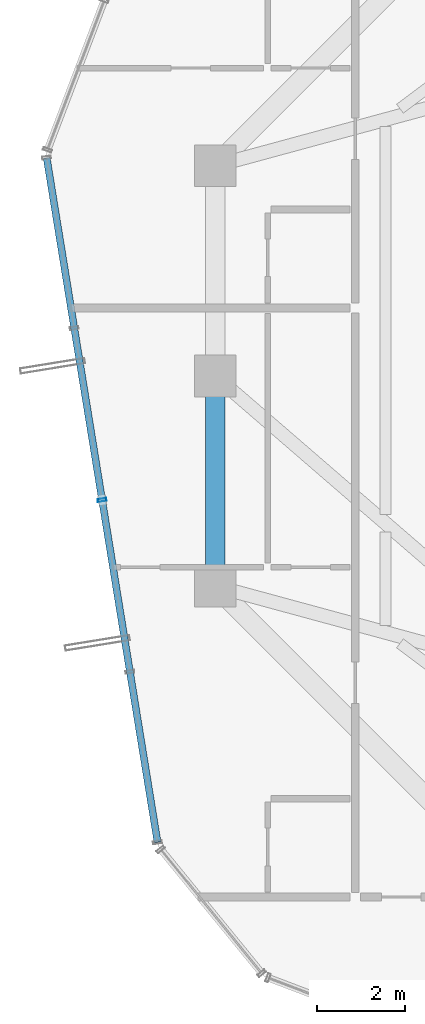
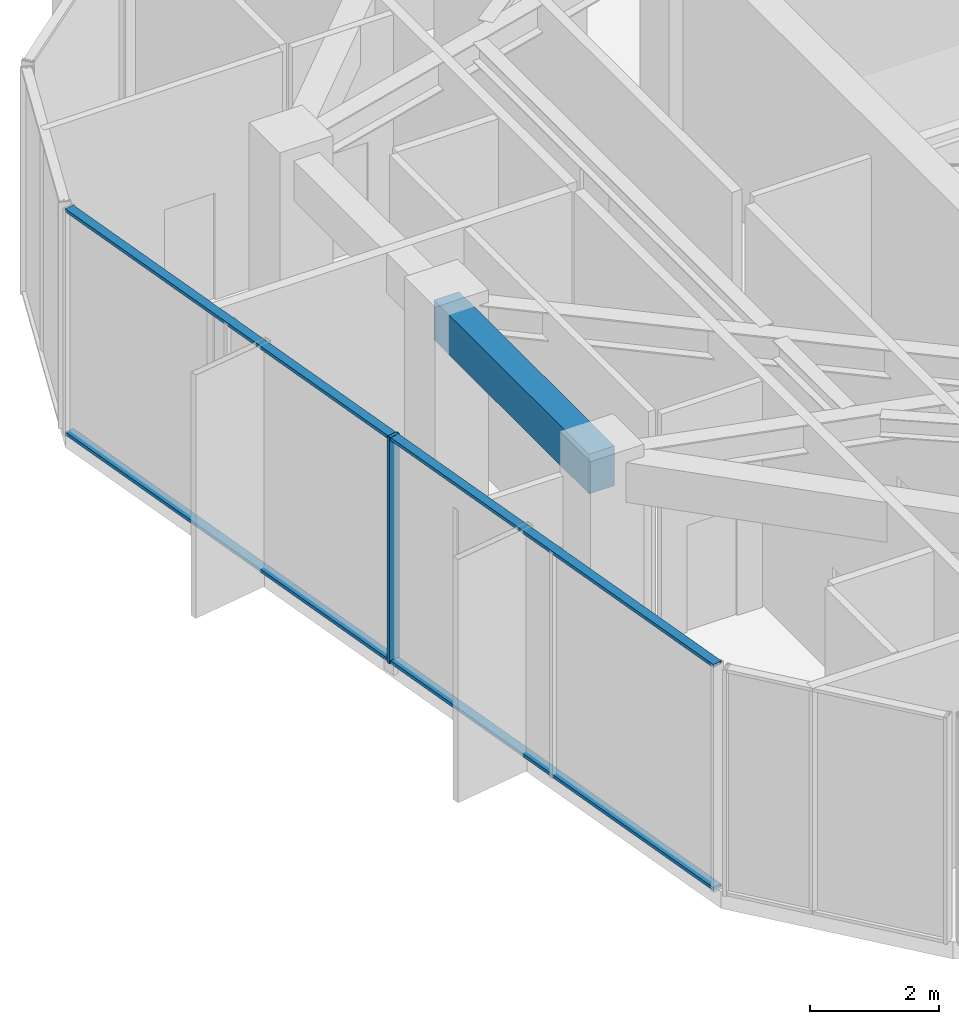
# One storey, part 7 of 22: 3 members, 1 beam, 1 element without a shape of its own.
"""IFC4 building model written with IfcOpenShell, lengths in metres."""

from ifc_helpers import new_model, si_unit, direction, frame, origin, origin_2d, place, context, subcontext, project, spatial, rectangle, hollow_rectangle, extrude, source, transform, mapped, material, layer, layer_set, material_profile, profile_set, type_object, element, aggregate, save


model = new_model("IFC4")

# Units and contexts
model_context = context("Model", 3, precision=1e-05, world=origin(), true_north=direction((0.0, 1.0)))
body_context = subcontext(model_context, "Body", "Model", "MODEL_VIEW")
ifc_project = project(units=[si_unit("LENGTHUNIT", "METRE"), si_unit("AREAUNIT", "SQUARE_METRE"), si_unit("VOLUMEUNIT", "CUBIC_METRE"), si_unit("PLANEANGLEUNIT", "RADIAN"), si_unit("MASSUNIT", "GRAM", prefix="KILO")], contexts=[model_context])

# Site, building, storey
site_placement = place(None, origin())
site = spatial("IfcSite", under=ifc_project, at=site_placement, CompositionType="ELEMENT")
building_placement = place(site_placement, origin())
building = spatial("IfcBuilding", under=site, at=building_placement, Name="Veraguas Prism Commons", CompositionType="ELEMENT")
storey_placement = place(building_placement, frame((0.0, 0.0, 174.35009765625)))
storey = spatial("IfcBuildingStorey", under=building, at=storey_placement, Name="L49", CompositionType="ELEMENT", Elevation=174.35009765625)

# Beam
ifc_material_1 = material(Name="Concrete C50/60", Category="concrete")
ifc_material_profile_1 = material_profile(ifc_material_1, rectangle(XDim=0.449951171875, YDim=0.75, at=origin_2d()), Name="RC450X750")
ifc_profile_set_1 = profile_set([ifc_material_profile_1], Name="Concrete C50/60")
beam_type = type_object("IfcBeamType", Name="Perimeter Spandrel Upper RC 450x750", PredefinedType="SPANDREL", material=ifc_profile_set_1)
beam_placement = place(storey_placement, frame((9.10009765625, 24.0, 3.889892578125), z_axis=(0.0, -1.0, 0.0), x_axis=(1.0, 0.0, 0.0)))
element("IfcBeam", 1, at=beam_placement, inside=storey, type_object=beam_type, Name="Perimeter Spandrel Beam L49-SP08", PredefinedType="SPANDREL", context=body_context, shape_type="SweptSolid", body=[
    extrude(rectangle(XDim=0.449951171875, YDim=0.75, at=origin_2d()), origin(), (0.0, 0.0, 1.0), 4.800048828125),
])

# Curtain wall, members
ifc_material_2 = material(Name="Anodised aluminium EN AW-6063 T6", Category="aluminium")
ifc_layer = layer(ifc_material_2, 0.199951171875, Name="Sky Lobby and Pool Acoustic Curtain Wall", Category="aluminium")
ifc_layer_set = layer_set([ifc_layer], Name="Anodised aluminium EN AW-6063 T6")
curtain_wall_type = type_object("IfcCurtainWallType", Name="Sky Lobby and Pool Acoustic Curtain Wall", PredefinedType="NOTDEFINED", material=ifc_layer_set)
curtain_wall_placement = place(storey_placement, origin())
curtain_wall = element("IfcCurtainWall", 2, at=curtain_wall_placement, inside=storey, type_object=curtain_wall_type, Name="Tower Facade Curtain Wall L49-F3", PredefinedType="NOTDEFINED")
ifc_material_profile_2 = material_profile(ifc_material_2, hollow_rectangle(XDim=0.06494140625, YDim=0.199951171875, WallThickness=0.00390625, at=origin_2d()), Name="AL65X200X4")
ifc_profile_set_2 = profile_set([ifc_material_profile_2], Name="Anodised aluminium EN AW-6063 T6")
member_type_1 = type_object("IfcMemberType", Name="Curtain Wall Mullion Heavy AL 65x200x4", PredefinedType="MULLION", material=ifc_profile_set_2)
shared_shape_1 = source(origin(), body_context, "Body", "SweptSolid", [
    extrude(hollow_rectangle(XDim=0.06494140625, YDim=0.199951171875, WallThickness=0.00390625, at=origin_2d()), origin(), (0.0, 0.0, 1.0), 4.264892578125),
])
member_1_placement = place(storey_placement, frame((6.517578125, 21.16845703125, 0.0), z_axis=(0.0, 0.0, 1.0), x_axis=(0.159874296177, -0.98713738123, 0.0)))
member_1 = element("IfcMember", 3, at=member_1_placement, type_object=member_type_1, Name="CW-SKY Mullion 3", PredefinedType="MULLION", context=body_context, shape_type="MappedRepresentation", body=[
    mapped(shared_shape_1, transform((0.0, 0.0, 0.0), scale=1.0)),
])
ifc_material_profile_3 = material_profile(ifc_material_2, hollow_rectangle(XDim=0.06005859375, YDim=0.159912109375, WallThickness=0.0029296875, at=origin_2d()), Name="AL60X160X3")
ifc_profile_set_3 = profile_set([ifc_material_profile_3], Name="Anodised aluminium EN AW-6063 T6")
member_type_2 = type_object("IfcMemberType", Name="Curtain Wall Transom Heavy AL 60x160x3", PredefinedType="USERDEFINED", material=ifc_profile_set_3)
shared_shape_2 = source(origin(), body_context, "Body", "SweptSolid", [
    extrude(hollow_rectangle(XDim=0.06005859375, YDim=0.159912109375, WallThickness=0.0029296875, at=origin_2d()), origin(), (0.0, 0.0, 1.0), 15.83740234375),
])
member_2_placement = place(storey_placement, frame((5.251708984375, 28.9853515625, 0.02978515625), z_axis=(0.159872642853, -0.987137648997, 0.0), x_axis=(0.0, 0.0, 1.0)))
member_2 = element("IfcMember", 4, at=member_2_placement, type_object=member_type_2, Name="CW-SKY Transom 1", ObjectType="TRANSOM", PredefinedType="USERDEFINED", context=body_context, shape_type="MappedRepresentation", body=[
    mapped(shared_shape_2, transform((0.0, 0.0, 0.0), scale=1.0)),
])
member_3_placement = place(storey_placement, frame((5.251708984375, 28.9853515625, 4.23486328125), z_axis=(0.159872642853, -0.987137648997, 0.0), x_axis=(0.0, 0.0, 1.0)))
member_3 = element("IfcMember", 5, at=member_3_placement, type_object=member_type_2, Name="CW-SKY Transom 2", ObjectType="TRANSOM", PredefinedType="USERDEFINED", context=body_context, shape_type="MappedRepresentation", body=[
    mapped(shared_shape_2, transform((0.0, 0.0, 0.0), scale=1.0)),
])
aggregate(curtain_wall, [member_1, member_2, member_3])

save(model, "model.ifc")
